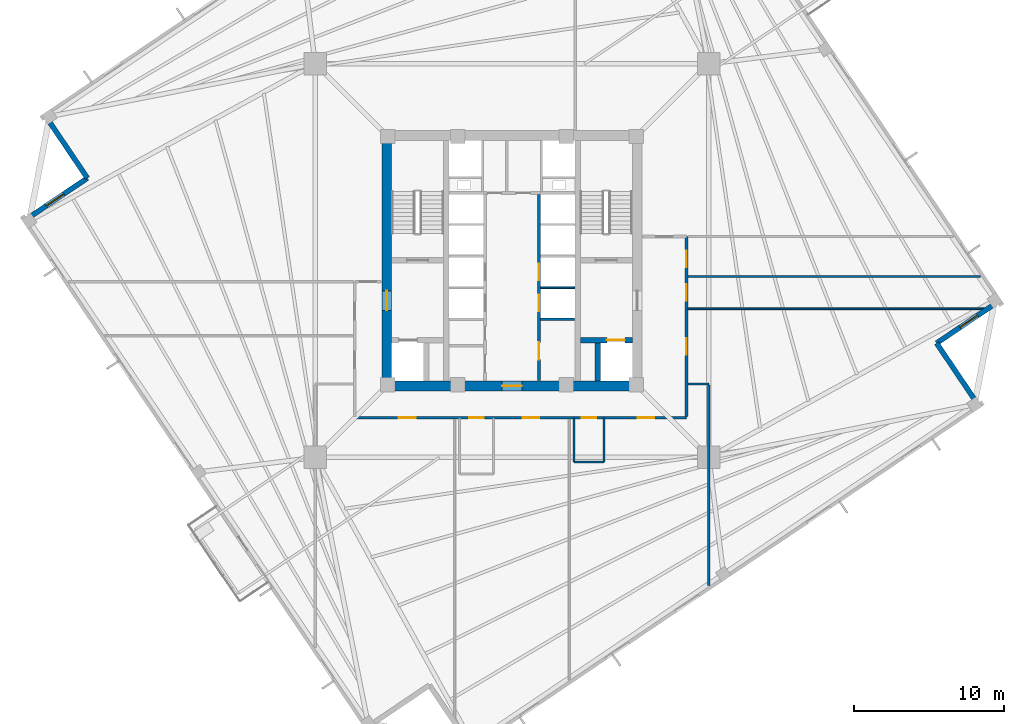
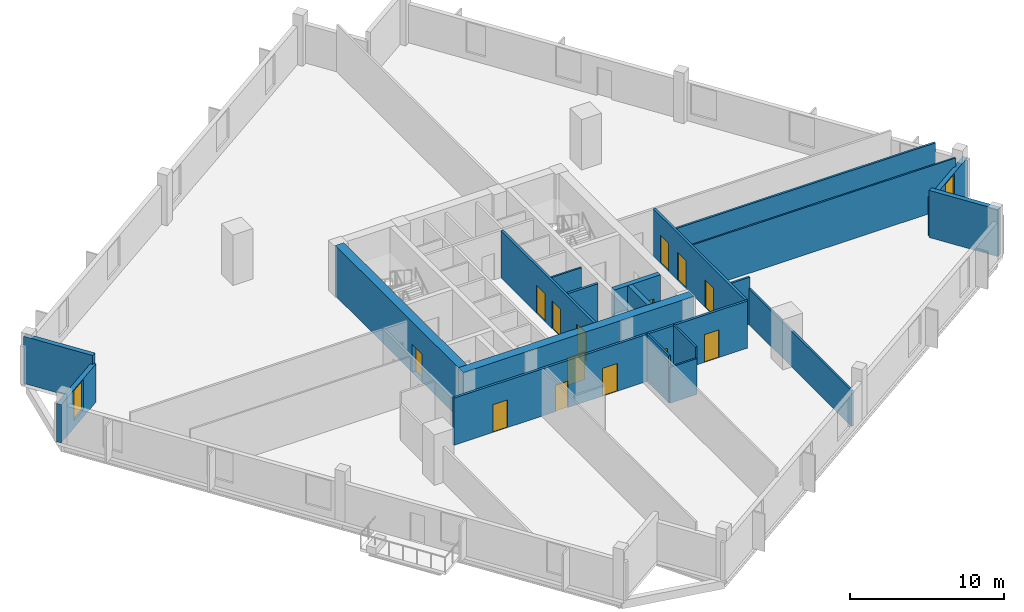
# One storey, part 4 of 9: 20 walls, 14 doors, 2 windows, 16 openings.
"""IFC4 building model written with IfcOpenShell, lengths in metres."""

from ifc_helpers import new_model, si_unit, direction, frame, frame_2d, origin, place, context, subcontext, project, spatial, rectangle, extrude, source, transform, mapped, material, layer, layer_set, type_object, element, fill, save


model = new_model("IFC4")

# Units and contexts
model_context = context("Model", 3, precision=1e-05, world=origin(), true_north=direction((0.0, 1.0)))
body_context = subcontext(model_context, "Body", "Model", "MODEL_VIEW")
ifc_project = project(units=[si_unit("LENGTHUNIT", "METRE"), si_unit("AREAUNIT", "SQUARE_METRE"), si_unit("VOLUMEUNIT", "CUBIC_METRE"), si_unit("PLANEANGLEUNIT", "RADIAN"), si_unit("MASSUNIT", "GRAM", prefix="KILO"), si_unit("THERMODYNAMICTEMPERATUREUNIT", "KELVIN")], contexts=[model_context])

# Site, building, storey
site_placement = place(None, origin())
site = spatial("IfcSite", under=ifc_project, at=site_placement, CompositionType="ELEMENT")
building_placement = place(site_placement, origin())
building = spatial("IfcBuilding", under=site, at=building_placement, Name="Kosmvard Interchange Tower", CompositionType="ELEMENT")
storey_placement = place(building_placement, frame((0.0, 0.0, 168.39990234375)))
storey = spatial("IfcBuildingStorey", under=building, at=storey_placement, Name="L40", CompositionType="ELEMENT", Elevation=168.39990234375)

# Walls
ifc_material_1 = material(Name="Acoustic gypsum partition system")
ifc_layer_1 = layer(ifc_material_1, 0.14990234375, Name="Acoustic gypsum partition system")
ifc_layer_set_1 = layer_set([ifc_layer_1], Name="Acoustic gypsum partition system")
wall_type_1 = type_object("IfcWallType", Name="Acoustic Suite & Meeting Partition 150", PredefinedType="PARTITIONING", material=ifc_layer_set_1)
wall_1_placement = place(storey_placement, frame((11.695068359375, -1.050048828125, 0.0), z_axis=(0.0, 0.0, 1.0), x_axis=(1.0, 0.0, 0.0)))
element("IfcWall", 1, at=wall_1_placement, inside=storey, type_object=wall_type_1, Name="L40 Room Partition 03.1", PredefinedType="PARTITIONING", context=body_context, shape_type="SweptSolid", body=[
    extrude(rectangle(XDim=19.43994140625, YDim=0.14990234375, at=frame_2d((9.719970703125, 0.0))), origin(), (0.0, 0.0, 1.0), 3.739990234375),
])
wall_2_placement = place(storey_placement, frame((11.695068359375, -8.199951171875, 0.0), z_axis=(0.0, 0.0, 1.0), x_axis=(1.0, 0.0, 0.0)))
element("IfcWall", 2, at=wall_2_placement, inside=storey, type_object=wall_type_1, Name="L40 Room Partition 10.1", PredefinedType="PARTITIONING", context=body_context, shape_type="SweptSolid", body=[
    extrude(rectangle(XDim=1.385986328125, YDim=0.14990234375, at=frame_2d((0.69287109375, 0.0))), origin(), (0.0, 0.0, 1.0), 3.739990234375),
])
wall_3_placement = place(storey_placement, frame((13.0810546875, -8.27490234375, 0.0), z_axis=(0.0, 0.0, 1.0), x_axis=(0.0, -1.0, 0.0)))
element("IfcWall", 3, at=wall_3_placement, inside=storey, type_object=wall_type_1, Name="L40 Room Partition 11.1", PredefinedType="PARTITIONING", context=body_context, shape_type="SweptSolid", body=[
    extrude(rectangle(XDim=13.32861328125, YDim=0.14990234375, at=frame_2d((6.664306640625, 0.0))), origin(), (0.0, 0.0, 1.0), 2.840087890625),
])

# Wall, openings, doors
ifc_material_2 = material(Name="Fire-rated gypsum partition system")
ifc_layer_2 = layer(ifc_material_2, 0.179931640625, Name="Fire-rated gypsum partition system")
ifc_layer_set_2 = layer_set([ifc_layer_2], Name="Fire-rated gypsum partition system")
wall_type_2 = type_object("IfcWallType", Name="Corridor & Hotel Compartment Partition 180", PredefinedType="PARTITIONING", material=ifc_layer_set_2)
wall_4_placement = place(storey_placement, frame((1.7900390625, -7.97998046875, 0.0), z_axis=(0.0, 0.0, 1.0), x_axis=(0.0, 1.0, 0.0)))
wall_4 = element("IfcWall", 4, at=wall_4_placement, inside=storey, type_object=wall_type_2, Name="L40 East Lift Bank Front Wall", PredefinedType="PARTITIONING", context=body_context, shape_type="SweptSolid", body=[
    extrude(rectangle(XDim=12.3798828125, YDim=0.179931640625, at=frame_2d((6.18994140625, 0.0))), origin(), (0.0, 0.0, 1.0), 3.739990234375),
])
opening_1_placement = place(wall_4_placement, frame((4.60009765625, 0.0, 0.0)))
opening_1 = element("IfcOpeningElement", 5, at=opening_1_placement, cuts=wall_4, Name="Opening LD-PL-M3-L40", PredefinedType="OPENING", context=body_context, shape_type="SweptSolid", body=[
    extrude(rectangle(XDim=1.10009765625, YDim=2.199951171875, at=frame_2d((0.550048828125, 1.10009765625))), frame((0.0, 0.10009765625, 0.0), z_axis=(0.0, -1.0, 0.0), x_axis=(1.0, 0.0, 0.0)), (0.0, 0.0, 1.0), 0.199951171875),
])
opening_2_placement = place(wall_4_placement, frame((6.659912109375, 0.0, 0.0)))
opening_2 = element("IfcOpeningElement", 6, at=opening_2_placement, cuts=wall_4, Name="Opening LD-PL-M4-L40", PredefinedType="OPENING", context=body_context, shape_type="SweptSolid", body=[
    extrude(rectangle(XDim=1.10009765625, YDim=2.199951171875, at=frame_2d((0.550048828125, 1.10009765625))), frame((0.0, 0.10009765625, 0.0), z_axis=(0.0, -1.0, 0.0), x_axis=(1.0, 0.0, 0.0)), (0.0, 0.0, 1.0), 0.199951171875),
])
opening_3_placement = place(wall_4_placement, frame((1.39990234375, 0.0, 0.0)))
opening_3 = element("IfcOpeningElement", 7, at=opening_3_placement, cuts=wall_4, Name="Opening L40-CD3", PredefinedType="OPENING", context=body_context, shape_type="SweptSolid", body=[
    extrude(rectangle(XDim=1.14990234375, YDim=2.25, at=frame_2d((0.574951171875, 1.125))), frame((0.0, 0.10009765625, 0.0), z_axis=(0.0, -1.0, 0.0), x_axis=(1.0, 0.0, 0.0)), (0.0, 0.0, 1.0), 0.199951171875),
])
ifc_material_3 = material(Name="Painted fire-rated steel leaf", Category="steel")
door_type_1 = type_object("IfcDoorType", Name="Plant & Riser Fire Door 1150x2250 EI60", OperationType="NOTDEFINED", PredefinedType="DOOR", material=ifc_material_3)
shared_shape_1 = source(origin(), body_context, "Body", "SweptSolid", [
    extrude(rectangle(XDim=1.14990234375, YDim=2.25, at=frame_2d((0.574951171875, 1.125))), frame((0.0, 0.02490234375, 0.0), z_axis=(0.0, -1.0, 0.0), x_axis=(1.0, 0.0, 0.0)), (0.0, 0.0, 1.0), 0.050048828125),
])
door_1_placement = place(opening_3_placement, frame((1.14990234375, 0.0, 0.0), z_axis=(0.0, 0.0, 1.0), x_axis=(-1.0, 0.0, 0.0)))
door_1 = element("IfcDoor", 8, at=door_1_placement, inside=storey, type_object=door_type_1, Name="L40 Core Telecoms Door", OperationType="SINGLE_SWING_RIGHT", OverallHeight=2.25, OverallWidth=1.14990234375, PredefinedType="DOOR", context=body_context, shape_type="MappedRepresentation", body=[
    mapped(shared_shape_1, transform((0.0, 0.0, 0.0), scale=1.0)),
])
fill(opening_3, door_1)
ifc_material_4 = material(Name="Brushed stainless steel sliding leaf", Category="steel")
door_type_2 = type_object("IfcDoorType", Name="Passenger Lift Sliding Landing Door 1100x2200 EI60", OperationType="DOUBLE_DOOR_SLIDING", PredefinedType="DOOR", material=ifc_material_4)
shared_shape_2 = source(origin(), body_context, "Body", "SweptSolid", [
    extrude(rectangle(XDim=1.10009765625, YDim=2.199951171875, at=frame_2d((0.550048828125, 1.10009765625))), frame((0.0, 0.02490234375, 0.0), z_axis=(0.0, -1.0, 0.0), x_axis=(1.0, 0.0, 0.0)), (0.0, 0.0, 1.0), 0.050048828125),
])
door_2_placement = place(opening_1_placement, origin())
door_2 = element("IfcDoor", 9, at=door_2_placement, inside=storey, type_object=door_type_2, Name="Lift PL-M3 Landing Door L40", OperationType="DOUBLE_DOOR_SLIDING", OverallHeight=2.199951171875, OverallWidth=1.10009765625, PredefinedType="DOOR", context=body_context, shape_type="MappedRepresentation", body=[
    mapped(shared_shape_2, transform((0.0, 0.0, 0.0), scale=1.0)),
])
fill(opening_1, door_2)
door_3_placement = place(opening_2_placement, origin())
door_3 = element("IfcDoor", 10, at=door_3_placement, inside=storey, type_object=door_type_2, Name="Lift PL-M4 Landing Door L40", OperationType="DOUBLE_DOOR_SLIDING", OverallHeight=2.199951171875, OverallWidth=1.10009765625, PredefinedType="DOOR", context=body_context, shape_type="MappedRepresentation", body=[
    mapped(shared_shape_2, transform((0.0, 0.0, 0.0), scale=1.0)),
])
fill(opening_2, door_3)

wall_5_placement = place(storey_placement, frame((-10.449951171875, -10.449951171875, 0.0), z_axis=(0.0, 0.0, 1.0), x_axis=(1.0, 0.0, 0.0)))
wall_5 = element("IfcWall", 11, at=wall_5_placement, inside=storey, type_object=wall_type_2, Name="L40 Corridor Wall CS", PredefinedType="PARTITIONING", context=body_context, shape_type="SweptSolid", body=[
    extrude(rectangle(XDim=22.050048828125, YDim=0.179931640625, at=frame_2d((11.02490234375, 0.0))), origin(), (0.0, 0.0, 1.0), 3.739990234375),
])
opening_4_placement = place(wall_5_placement, frame((15.086181640625, 0.0, 0.0)))
opening_4 = element("IfcOpeningElement", 12, at=opening_4_placement, cuts=wall_5, Name="Opening L40-D01", PredefinedType="OPENING", context=body_context, shape_type="SweptSolid", body=[
    extrude(rectangle(XDim=0.949951171875, YDim=2.10009765625, at=frame_2d((0.47509765625, 1.050048828125))), frame((0.0, 0.10009765625, 0.0), z_axis=(0.0, -1.0, 0.0), x_axis=(1.0, 0.0, 0.0)), (0.0, 0.0, 1.0), 0.199951171875),
])
opening_5_placement = place(wall_5_placement, frame((7.611083984375, 0.0, 0.0)))
opening_5 = element("IfcOpeningElement", 13, at=opening_5_placement, cuts=wall_5, Name="Opening L40-D02", PredefinedType="OPENING", context=body_context, shape_type="SweptSolid", body=[
    extrude(rectangle(XDim=0.949951171875, YDim=2.10009765625, at=frame_2d((0.47509765625, 1.050048828125))), frame((0.0, 0.10009765625, 0.0), z_axis=(0.0, -1.0, 0.0), x_axis=(1.0, 0.0, 0.0)), (0.0, 0.0, 1.0), 0.199951171875),
])
opening_6_placement = place(wall_5_placement, frame((2.939453125, 0.0, 0.0)))
opening_6 = element("IfcOpeningElement", 14, at=opening_6_placement, cuts=wall_5, Name="Opening L40-D08", PredefinedType="OPENING", context=body_context, shape_type="SweptSolid", body=[
    extrude(rectangle(XDim=1.10009765625, YDim=2.199951171875, at=frame_2d((0.550048828125, 1.10009765625))), frame((0.0, 0.10009765625, 0.0), z_axis=(0.0, -1.0, 0.0), x_axis=(1.0, 0.0, 0.0)), (0.0, 0.0, 1.0), 0.199951171875),
])
opening_7_placement = place(wall_5_placement, frame((11.174560546875, 0.0, 0.0)))
opening_7 = element("IfcOpeningElement", 15, at=opening_7_placement, cuts=wall_5, Name="Opening L40-D09", PredefinedType="OPENING", context=body_context, shape_type="SweptSolid", body=[
    extrude(rectangle(XDim=1.10009765625, YDim=2.199951171875, at=frame_2d((0.550048828125, 1.10009765625))), frame((0.0, 0.10009765625, 0.0), z_axis=(0.0, -1.0, 0.0), x_axis=(1.0, 0.0, 0.0)), (0.0, 0.0, 1.0), 0.199951171875),
])
opening_8_placement = place(wall_5_placement, frame((18.80517578125, 0.0, 0.0)))
opening_8 = element("IfcOpeningElement", 16, at=opening_8_placement, cuts=wall_5, Name="Opening L40-D10", PredefinedType="OPENING", context=body_context, shape_type="SweptSolid", body=[
    extrude(rectangle(XDim=1.10009765625, YDim=2.199951171875, at=frame_2d((0.550048828125, 1.10009765625))), frame((0.0, 0.10009765625, 0.0), z_axis=(0.0, -1.0, 0.0), x_axis=(1.0, 0.0, 0.0)), (0.0, 0.0, 1.0), 0.199951171875),
])
ifc_material_5 = material(Name="Laminated moisture-resistant timber", Category="wood")
door_type_3 = type_object("IfcDoorType", Name="Accessible Washroom Door 950x2100", OperationType="NOTDEFINED", PredefinedType="DOOR", material=ifc_material_5)
shared_shape_3 = source(origin(), body_context, "Body", "SweptSolid", [
    extrude(rectangle(XDim=0.949951171875, YDim=2.10009765625, at=frame_2d((0.47509765625, 1.050048828125))), frame((0.0, 0.02490234375, 0.0), z_axis=(0.0, -1.0, 0.0), x_axis=(1.0, 0.0, 0.0)), (0.0, 0.0, 1.0), 0.050048828125),
])
door_4_placement = place(opening_4_placement, frame((0.949951171875, 0.0, 0.0), z_axis=(0.0, 0.0, 1.0), x_axis=(-1.0, 0.0, 0.0)))
door_4 = element("IfcDoor", 17, at=door_4_placement, inside=storey, type_object=door_type_3, Name="L40 Accessible Toilet Door", OperationType="SINGLE_SWING_LEFT", OverallHeight=2.10009765625, OverallWidth=0.949951171875, PredefinedType="DOOR", context=body_context, shape_type="MappedRepresentation", body=[
    mapped(shared_shape_3, transform((0.0, 0.0, 0.0), scale=1.0)),
])
fill(opening_4, door_4)
door_5_placement = place(opening_5_placement, frame((0.949951171875, 0.0, 0.0), z_axis=(0.0, 0.0, 1.0), x_axis=(-1.0, 0.0, 0.0)))
door_5 = element("IfcDoor", 18, at=door_5_placement, inside=storey, type_object=door_type_3, Name="L40 Public Floor Washroom Door", OperationType="SINGLE_SWING_RIGHT", OverallHeight=2.10009765625, OverallWidth=0.949951171875, PredefinedType="DOOR", context=body_context, shape_type="MappedRepresentation", body=[
    mapped(shared_shape_3, transform((0.0, 0.0, 0.0), scale=1.0)),
])
fill(opening_5, door_5)
ifc_material_6 = material(Name="Engineered oak fire-rated timber", Category="wood")
door_type_4 = type_object("IfcDoorType", Name="Office Suite Entrance Door 1100x2200 FD30S", OperationType="NOTDEFINED", PredefinedType="DOOR", material=ifc_material_6)
door_6_placement = place(opening_6_placement, frame((1.10009765625, 0.0, 0.0), z_axis=(0.0, 0.0, 1.0), x_axis=(-1.0, 0.0, 0.0)))
door_6 = element("IfcDoor", 19, at=door_6_placement, inside=storey, type_object=door_type_4, Name="L40 Trader Quiet Lounge Door", OperationType="SINGLE_SWING_RIGHT", OverallHeight=2.199951171875, OverallWidth=1.10009765625, PredefinedType="DOOR", context=body_context, shape_type="MappedRepresentation", body=[
    mapped(shared_shape_2, transform((0.0, 0.0, 0.0), scale=1.0)),
])
fill(opening_6, door_6)
door_7_placement = place(opening_7_placement, frame((1.10009765625, 0.0, 0.0), z_axis=(0.0, 0.0, 1.0), x_axis=(-1.0, 0.0, 0.0)))
door_7 = element("IfcDoor", 20, at=door_7_placement, inside=storey, type_object=door_type_4, Name="L40 Exchange Visitor Reception Door", OperationType="SINGLE_SWING_LEFT", OverallHeight=2.199951171875, OverallWidth=1.10009765625, PredefinedType="DOOR", context=body_context, shape_type="MappedRepresentation", body=[
    mapped(shared_shape_2, transform((0.0, 0.0, 0.0), scale=1.0)),
])
fill(opening_7, door_7)
door_8_placement = place(opening_8_placement, frame((1.10009765625, 0.0, 0.0), z_axis=(0.0, 0.0, 1.0), x_axis=(-1.0, 0.0, 0.0)))
door_8 = element("IfcDoor", 21, at=door_8_placement, inside=storey, type_object=door_type_4, Name="L40 Executive Study Room Door", OperationType="SINGLE_SWING_RIGHT", OverallHeight=2.199951171875, OverallWidth=1.10009765625, PredefinedType="DOOR", context=body_context, shape_type="MappedRepresentation", body=[
    mapped(shared_shape_2, transform((0.0, 0.0, 0.0), scale=1.0)),
])
fill(opening_8, door_8)

wall_6_placement = place(storey_placement, frame((11.60009765625, -10.35009765625, 0.0), z_axis=(0.0, 0.0, 1.0), x_axis=(0.0, 1.0, 0.0)))
wall_6 = element("IfcWall", 22, at=wall_6_placement, inside=storey, type_object=wall_type_2, Name="L40 Corridor Wall CE", PredefinedType="PARTITIONING", context=body_context, shape_type="SweptSolid", body=[
    extrude(rectangle(XDim=11.9501953125, YDim=0.179931640625, at=frame_2d((5.97509765625, 0.0))), origin(), (0.0, 0.0, 1.0), 3.739990234375),
])
opening_9_placement = place(wall_6_placement, frame((9.91064453125, 0.0, 0.0)))
opening_9 = element("IfcOpeningElement", 23, at=opening_9_placement, cuts=wall_6, Name="Opening L40-D05", PredefinedType="OPENING", context=body_context, shape_type="SweptSolid", body=[
    extrude(rectangle(XDim=1.10009765625, YDim=2.199951171875, at=frame_2d((0.550048828125, 1.10009765625))), frame((0.0, 0.10009765625, 0.0), z_axis=(0.0, -1.0, 0.0), x_axis=(1.0, 0.0, 0.0)), (0.0, 0.0, 1.0), 0.199951171875),
])
opening_10_placement = place(wall_6_placement, frame((4.10009765625, 0.0, 0.0)))
opening_10 = element("IfcOpeningElement", 24, at=opening_10_placement, cuts=wall_6, Name="Opening L40-D11", PredefinedType="OPENING", context=body_context, shape_type="SweptSolid", body=[
    extrude(rectangle(XDim=1.10009765625, YDim=2.199951171875, at=frame_2d((0.550048828125, 1.10009765625))), frame((0.0, 0.10009765625, 0.0), z_axis=(0.0, -1.0, 0.0), x_axis=(1.0, 0.0, 0.0)), (0.0, 0.0, 1.0), 0.199951171875),
])
opening_11_placement = place(wall_6_placement, frame((7.675048828125, 0.0, 0.0)))
opening_11 = element("IfcOpeningElement", 25, at=opening_11_placement, cuts=wall_6, Name="Opening L40-D12", PredefinedType="OPENING", context=body_context, shape_type="SweptSolid", body=[
    extrude(rectangle(XDim=1.10009765625, YDim=2.199951171875, at=frame_2d((0.550048828125, 1.10009765625))), frame((0.0, 0.10009765625, 0.0), z_axis=(0.0, -1.0, 0.0), x_axis=(1.0, 0.0, 0.0)), (0.0, 0.0, 1.0), 0.199951171875),
])
door_9_placement = place(opening_9_placement, frame((1.10009765625, 0.0, 0.0), z_axis=(0.0, 0.0, 1.0), x_axis=(-1.0, 0.0, 0.0)))
door_9 = element("IfcDoor", 26, at=door_9_placement, inside=storey, type_object=door_type_4, Name="L40 East Market Briefing Hall Door", OperationType="SINGLE_SWING_LEFT", OverallHeight=2.199951171875, OverallWidth=1.10009765625, PredefinedType="DOOR", context=body_context, shape_type="MappedRepresentation", body=[
    mapped(shared_shape_2, transform((0.0, 0.0, 0.0), scale=1.0)),
])
fill(opening_9, door_9)
door_10_placement = place(opening_10_placement, frame((1.10009765625, 0.0, 0.0), z_axis=(0.0, 0.0, 1.0), x_axis=(-1.0, 0.0, 0.0)))
door_10 = element("IfcDoor", 27, at=door_10_placement, inside=storey, type_object=door_type_4, Name="L40 Communal Catering Pantry Door", OperationType="SINGLE_SWING_LEFT", OverallHeight=2.199951171875, OverallWidth=1.10009765625, PredefinedType="DOOR", context=body_context, shape_type="MappedRepresentation", body=[
    mapped(shared_shape_2, transform((0.0, 0.0, 0.0), scale=1.0)),
])
fill(opening_10, door_10)
door_11_placement = place(opening_11_placement, frame((1.10009765625, 0.0, 0.0), z_axis=(0.0, 0.0, 1.0), x_axis=(-1.0, 0.0, 0.0)))
door_11 = element("IfcDoor", 28, at=door_11_placement, inside=storey, type_object=door_type_4, Name="L40 Deal Conference Room 2 Door", OperationType="SINGLE_SWING_RIGHT", OverallHeight=2.199951171875, OverallWidth=1.10009765625, PredefinedType="DOOR", context=body_context, shape_type="MappedRepresentation", body=[
    mapped(shared_shape_2, transform((0.0, 0.0, 0.0), scale=1.0)),
])
fill(opening_11, door_11)

# Wall, opening, door
ifc_material_7 = material(Name="Concrete C70/85", Category="concrete")
ifc_layer_3 = layer(ifc_material_7, 0.64990234375, Name="Concrete C70/85")
ifc_layer_set_3 = layer_set([ifc_layer_3], Name="Concrete C70/85")
wall_type_3 = type_object("IfcWallType", Name="Mid Core Shear Wall 650 C70/85", PredefinedType="SHEAR", material=ifc_layer_set_3)
wall_7_placement = place(storey_placement, frame((-8.64990234375, -8.324951171875, 0.0), z_axis=(0.0, 0.0, 1.0), x_axis=(1.0, 0.0, 0.0)))
wall_7 = element("IfcWall", 29, at=wall_7_placement, inside=storey, type_object=wall_type_3, Name="L40 Core Shear Wall CW-S", PredefinedType="SHEAR", context=body_context, shape_type="SweptSolid", body=[
    extrude(rectangle(XDim=17.2998046875, YDim=0.64990234375, at=frame_2d((8.64990234375, 0.0))), origin(), (0.0, 0.0, 1.0), 4.0),
])
opening_12_placement = place(wall_7_placement, frame((8.0, 0.0, 0.0)))
opening_12 = element("IfcOpeningElement", 30, at=opening_12_placement, cuts=wall_7, Name="Opening L40-LD0", PredefinedType="OPENING", context=body_context, shape_type="SweptSolid", body=[
    extrude(rectangle(XDim=1.300048828125, YDim=2.199951171875, at=frame_2d((0.64990234375, 1.10009765625))), frame((0.0, 0.3349609375, 0.0), z_axis=(0.0, -1.0, 0.0), x_axis=(1.0, 0.0, 0.0)), (0.0, 0.0, 1.0), 0.669921875),
])
door_type_5 = type_object("IfcDoorType", Name="Firefighting Lobby Door 1300x2200 EI60", OperationType="NOTDEFINED", PredefinedType="DOOR", material=ifc_material_3)
shared_shape_4 = source(origin(), body_context, "Body", "SweptSolid", [
    extrude(rectangle(XDim=1.300048828125, YDim=2.199951171875, at=frame_2d((0.64990234375, 1.10009765625))), frame((0.0, 0.02490234375, 0.0), z_axis=(0.0, -1.0, 0.0), x_axis=(1.0, 0.0, 0.0)), (0.0, 0.0, 1.0), 0.050048828125),
])
door_12_placement = place(opening_12_placement, frame((1.300048828125, 0.0, 0.0), z_axis=(0.0, 0.0, 1.0), x_axis=(-1.0, 0.0, 0.0)))
door_12 = element("IfcDoor", 31, at=door_12_placement, inside=storey, type_object=door_type_5, Name="L40 Passenger Lift Lobby South Door", OperationType="SINGLE_SWING_LEFT", OverallHeight=2.199951171875, OverallWidth=1.300048828125, PredefinedType="DOOR", context=body_context, shape_type="MappedRepresentation", body=[
    mapped(shared_shape_4, transform((0.0, 0.0, 0.0), scale=1.0)),
])
fill(opening_12, door_12)

wall_8_placement = place(storey_placement, frame((-8.324951171875, -8.0, 0.0), z_axis=(0.0, 0.0, 1.0), x_axis=(0.0, 1.0, 0.0)))
wall_8 = element("IfcWall", 32, at=wall_8_placement, inside=storey, type_object=wall_type_3, Name="L40 Core Shear Wall CW-W", PredefinedType="SHEAR", context=body_context, shape_type="SweptSolid", body=[
    extrude(rectangle(XDim=16.0, YDim=0.64990234375, at=frame_2d((8.0, 0.0))), origin(), (0.0, 0.0, 1.0), 4.0),
])
opening_13_placement = place(wall_8_placement, frame((4.68994140625, 0.0, 0.0)))
opening_13 = element("IfcOpeningElement", 33, at=opening_13_placement, cuts=wall_8, Name="Opening L40-FD1", PredefinedType="OPENING", context=body_context, shape_type="SweptSolid", body=[
    extrude(rectangle(XDim=1.300048828125, YDim=2.199951171875, at=frame_2d((0.64990234375, 1.10009765625))), frame((0.0, 0.3349609375, 0.0), z_axis=(0.0, -1.0, 0.0), x_axis=(1.0, 0.0, 0.0)), (0.0, 0.0, 1.0), 0.669921875),
])
door_13_placement = place(opening_13_placement, frame((1.300048828125, 0.0, 0.0), z_axis=(0.0, 0.0, 1.0), x_axis=(-1.0, 0.0, 0.0)))
door_13 = element("IfcDoor", 34, at=door_13_placement, inside=storey, type_object=door_type_5, Name="L40 Firefighting Lobby West Door", OperationType="SINGLE_SWING_LEFT", OverallHeight=2.199951171875, OverallWidth=1.300048828125, PredefinedType="DOOR", context=body_context, shape_type="MappedRepresentation", body=[
    mapped(shared_shape_4, transform((0.0, 0.0, 0.0), scale=1.0)),
])
fill(opening_13, door_13)

# Wall
ifc_material_8 = material(Name="Precast concrete C45/55", Category="concrete")
ifc_layer_4 = layer(ifc_material_8, 0.340087890625, Name="Precast concrete C45/55")
ifc_layer_set_4 = layer_set([ifc_layer_4], Name="Precast concrete C45/55")
wall_type_4 = type_object("IfcWallType", Name="Mid Tower Precast Pier Wall 340 C45/55", PredefinedType="STANDARD", material=ifc_layer_set_4)
wall_9_placement = place(storey_placement, frame((31.018798828125, -9.631103515625, 0.0), z_axis=(0.0, 0.0, 1.0), x_axis=(-0.559210350234, 0.829025804298, 0.0)))
element("IfcWall", 35, at=wall_9_placement, inside=storey, type_object=wall_type_4, Name="L40 Precast Facade Wall N-SE1", PredefinedType="STANDARD", context=body_context, shape_type="SweptSolid", body=[
    extrude(rectangle(XDim=5.000244140625, YDim=0.340087890625, at=frame_2d((2.5, 0.0))), origin(), (0.0, 0.0, 1.0), 3.739990234375),
])

# Wall, opening, window
wall_10_placement = place(storey_placement, frame((28.22265625, -5.48583984375, 0.0), z_axis=(0.0, 0.0, 1.0), x_axis=(0.82905227345, 0.559171107879, 0.0)))
wall_10 = element("IfcWall", 36, at=wall_10_placement, inside=storey, type_object=wall_type_4, Name="L40 Precast Facade Wall N-SE2", PredefinedType="STANDARD", context=body_context, shape_type="SweptSolid", body=[
    extrude(rectangle(XDim=5.169921875, YDim=0.340087890625, at=frame_2d((2.5849609375, 0.0))), origin(), (0.0, 0.0, 1.0), 3.0400390625),
])
opening_14_placement = place(wall_10_placement, frame((1.885009765625, 0.0, 0.56005859375)))
opening_14 = element("IfcOpeningElement", 37, at=opening_14_placement, cuts=wall_10, Name="Opening L40-W21", PredefinedType="OPENING", context=body_context, shape_type="SweptSolid", body=[
    extrude(rectangle(XDim=1.39990234375, YDim=2.39990234375, at=frame_2d((0.699951171875, 1.199951171875))), frame((0.0, 0.18017578125, 0.0), z_axis=(0.0, -1.0, 0.0), x_axis=(1.0, 0.0, 0.0)), (0.0, 0.0, 1.0), 0.360107421875),
])
ifc_material_9 = material(Name="Low-E solar-control double glazing", Category="glass")
window_type = type_object("IfcWindowType", Name="Notched Corner Feature Window 1400x2400", PartitioningType="SINGLE_PANEL", PredefinedType="WINDOW", material=ifc_material_9)
shared_shape_5 = source(origin(), body_context, "Body", "SweptSolid", [
    extrude(rectangle(XDim=1.39990234375, YDim=2.39990234375, at=frame_2d((0.699951171875, 1.199951171875))), frame((0.0, 0.030029296875, 0.0), z_axis=(0.0, -1.0, 0.0), x_axis=(1.0, 0.0, 0.0)), (0.0, 0.0, 1.0), 0.06005859375),
])
window_1_placement = place(opening_14_placement, origin())
window_1 = element("IfcWindow", 38, at=window_1_placement, inside=storey, type_object=window_type, Name="L40 Corner Notch Window 21", OverallHeight=2.39990234375, OverallWidth=1.39990234375, PartitioningType="SINGLE_PANEL", PredefinedType="WINDOW", context=body_context, shape_type="MappedRepresentation", body=[
    mapped(shared_shape_5, transform((0.0, 0.0, 0.0), scale=1.0)),
])
fill(opening_14, window_1)

# Wall
wall_11_placement = place(storey_placement, frame((-31.018798828125, 9.631103515625, 0.0), z_axis=(0.0, 0.0, 1.0), x_axis=(0.559210350234, -0.829025804298, 0.0)))
element("IfcWall", 39, at=wall_11_placement, inside=storey, type_object=wall_type_4, Name="L40 Precast Facade Wall N-NW1", PredefinedType="STANDARD", context=body_context, shape_type="SweptSolid", body=[
    extrude(rectangle(XDim=5.000244140625, YDim=0.340087890625, at=frame_2d((2.5, 0.0))), origin(), (0.0, 0.0, 1.0), 3.739990234375),
])

# Wall, opening, window
wall_12_placement = place(storey_placement, frame((-28.22265625, 5.48583984375, 0.0), z_axis=(0.0, 0.0, 1.0), x_axis=(-0.82905227345, -0.559171107879, 0.0)))
wall_12 = element("IfcWall", 40, at=wall_12_placement, inside=storey, type_object=wall_type_4, Name="L40 Precast Facade Wall N-NW2", PredefinedType="STANDARD", context=body_context, shape_type="SweptSolid", body=[
    extrude(rectangle(XDim=5.169921875, YDim=0.340087890625, at=frame_2d((2.5849609375, 0.0))), origin(), (0.0, 0.0, 1.0), 3.0400390625),
])
opening_15_placement = place(wall_12_placement, frame((1.885009765625, 0.0, 0.56005859375)))
opening_15 = element("IfcOpeningElement", 41, at=opening_15_placement, cuts=wall_12, Name="Opening L40-W22", PredefinedType="OPENING", context=body_context, shape_type="SweptSolid", body=[
    extrude(rectangle(XDim=1.39990234375, YDim=2.39990234375, at=frame_2d((0.699951171875, 1.199951171875))), frame((0.0, 0.18017578125, 0.0), z_axis=(0.0, -1.0, 0.0), x_axis=(1.0, 0.0, 0.0)), (0.0, 0.0, 1.0), 0.360107421875),
])
window_2_placement = place(opening_15_placement, origin())
window_2 = element("IfcWindow", 42, at=window_2_placement, inside=storey, type_object=window_type, Name="L40 Corner Notch Window 22", OverallHeight=2.39990234375, OverallWidth=1.39990234375, PartitioningType="SINGLE_PANEL", PredefinedType="WINDOW", context=body_context, shape_type="MappedRepresentation", body=[
    mapped(shared_shape_5, transform((0.0, 0.0, 0.0), scale=1.0)),
])
fill(opening_15, window_2)

# Walls
ifc_material_10 = material(Name="Gypsum board partition system")
ifc_layer_5 = layer(ifc_material_10, 0.1201171875, Name="Gypsum board partition system")
ifc_layer_set_5 = layer_set([ifc_layer_5], Name="Gypsum board partition system")
wall_type_5 = type_object("IfcWallType", Name="Office Cellular Partition 120", PredefinedType="PARTITIONING", material=ifc_layer_set_5)
wall_13_placement = place(storey_placement, frame((11.695068359375, -3.199951171875, 0.0), z_axis=(0.0, 0.0, 1.0), x_axis=(1.0, 0.0, 0.0)))
element("IfcWall", 43, at=wall_13_placement, inside=storey, type_object=wall_type_5, Name="L40 Room Partition 12.1", PredefinedType="PARTITIONING", context=body_context, shape_type="SweptSolid", body=[
    extrude(rectangle(XDim=19.72900390625, YDim=0.1201171875, at=frame_2d((9.864501953125, 0.0))), origin(), (0.0, 0.0, 1.0), 3.739990234375),
])
ifc_material_11 = material(Name="Concrete blockwork masonry", Category="masonry")
ifc_layer_6 = layer(ifc_material_11, 0.179931640625, Name="Concrete blockwork masonry")
ifc_layer_set_6 = layer_set([ifc_layer_6], Name="Concrete blockwork masonry")
wall_type_6 = type_object("IfcWallType", Name="Riser & Lift Bank Divider Wall 180", PredefinedType="PARTITIONING", material=ifc_layer_set_6)
wall_14_placement = place(storey_placement, frame((1.889892578125, -3.89990234375, 0.0), z_axis=(0.0, 0.0, 1.0), x_axis=(1.0, 0.0, 0.0)))
element("IfcWall", 44, at=wall_14_placement, inside=storey, type_object=wall_type_6, Name="L40 East Bank Divider BD1", PredefinedType="PARTITIONING", context=body_context, shape_type="SweptSolid", body=[
    extrude(rectangle(XDim=2.280029296875, YDim=0.179931640625, at=frame_2d((1.14013671875, 0.0))), origin(), (0.0, 0.0, 1.0), 3.739990234375),
])
ifc_material_12 = material(Name="Fire-rated gypsum shaftwall system")
ifc_layer_7 = layer(ifc_material_12, 0.1201171875, Name="Fire-rated gypsum shaftwall system")
ifc_layer_set_7 = layer_set([ifc_layer_7], Name="Fire-rated gypsum shaftwall system")
wall_type_7 = type_object("IfcWallType", Name="Shaft & Riser Fire Partition 120 EI60", PredefinedType="PARTITIONING", material=ifc_layer_set_7)
wall_15_placement = place(storey_placement, frame((1.89990234375, -1.800048828125, 0.0), z_axis=(0.0, 0.0, 1.0), x_axis=(1.0, 0.0, 0.0)))
element("IfcWall", 45, at=wall_15_placement, inside=storey, type_object=wall_type_7, Name="L40 Shaft Divider PL-M3", PredefinedType="PARTITIONING", context=body_context, shape_type="SweptSolid", body=[
    extrude(rectangle(XDim=2.260009765625, YDim=0.1201171875, at=frame_2d((1.1298828125, 0.0))), origin(), (0.0, 0.0, 1.0), 3.739990234375),
])

# Wall, opening, door
ifc_material_13 = material(Name="Concrete C60/75", Category="concrete")
ifc_layer_8 = layer(ifc_material_13, 0.360107421875, Name="Concrete C60/75")
ifc_layer_set_8 = layer_set([ifc_layer_8], Name="Concrete C60/75")
wall_type_8 = type_object("IfcWallType", Name="Stair & Lift Shaft Shear Wall 360 C60/75", PredefinedType="SHEAR", material=ifc_layer_set_8)
wall_16_placement = place(storey_placement, frame((4.5400390625, -5.280029296875, 0.0), z_axis=(0.0, 0.0, 1.0), x_axis=(1.0, 0.0, 0.0)))
wall_16 = element("IfcWall", 46, at=wall_16_placement, inside=storey, type_object=wall_type_8, Name="L40 Shaft Shear Wall SW-FF2", PredefinedType="SHEAR", context=body_context, shape_type="SweptSolid", body=[
    extrude(rectangle(XDim=3.4599609375, YDim=0.360107421875, at=frame_2d((1.72998046875, 0.0))), origin(), (0.0, 0.0, 1.0), 4.0),
])
opening_16_placement = place(wall_16_placement, frame((1.760009765625, 0.0, 0.0)))
opening_16 = element("IfcOpeningElement", 47, at=opening_16_placement, cuts=wall_16, Name="Opening LD-FF-2-L40", PredefinedType="OPENING", context=body_context, shape_type="SweptSolid", body=[
    extrude(rectangle(XDim=1.199951171875, YDim=2.25, at=frame_2d((0.60009765625, 1.125))), frame((0.0, 0.18994140625, 0.0), z_axis=(0.0, -1.0, 0.0), x_axis=(1.0, 0.0, 0.0)), (0.0, 0.0, 1.0), 0.380126953125),
])
door_type_6 = type_object("IfcDoorType", Name="Firefighting Lift Sliding Landing Door 1200x2250 EI120", OperationType="DOUBLE_DOOR_SLIDING", PredefinedType="DOOR", material=ifc_material_4)
shared_shape_6 = source(origin(), body_context, "Body", "SweptSolid", [
    extrude(rectangle(XDim=1.199951171875, YDim=2.25, at=frame_2d((0.60009765625, 1.125))), frame((0.0, 0.02490234375, 0.0), z_axis=(0.0, -1.0, 0.0), x_axis=(1.0, 0.0, 0.0)), (0.0, 0.0, 1.0), 0.050048828125),
])
door_14_placement = place(opening_16_placement, origin())
door_14 = element("IfcDoor", 48, at=door_14_placement, inside=storey, type_object=door_type_6, Name="Lift FF-2 Landing Door L40", OperationType="DOUBLE_DOOR_SLIDING", OverallHeight=2.25, OverallWidth=1.199951171875, PredefinedType="DOOR", context=body_context, shape_type="MappedRepresentation", body=[
    mapped(shared_shape_6, transform((0.0, 0.0, 0.0), scale=1.0)),
])
fill(opening_16, door_14)

# Walls
wall_17_placement = place(storey_placement, frame((5.7099609375, -8.0, 0.0), z_axis=(0.0, 0.0, 1.0), x_axis=(0.0, 1.0, 0.0)))
element("IfcWall", 49, at=wall_17_placement, inside=storey, type_object=wall_type_8, Name="L40 Shaft Shear Wall SW-SM2", PredefinedType="SHEAR", context=body_context, shape_type="SweptSolid", body=[
    extrude(rectangle(XDim=2.5400390625, YDim=0.360107421875, at=frame_2d((1.27001953125, 0.0))), origin(), (0.0, 0.0, 1.0), 4.0),
])
ifc_material_14 = material(Name="Moisture-resistant gypsum partition")
ifc_layer_9 = layer(ifc_material_14, 0.135009765625, Name="Moisture-resistant gypsum partition")
ifc_layer_set_9 = layer_set([ifc_layer_9], Name="Moisture-resistant gypsum partition")
wall_type_9 = type_object("IfcWallType", Name="Wet Room Moisture-Resistant Partition 135", PredefinedType="PARTITIONING", material=ifc_layer_set_9)
wall_18_placement = place(storey_placement, frame((4.111083984375, -13.3701171875, 0.0), z_axis=(0.0, 0.0, 1.0), x_axis=(1.0, 0.0, 0.0)))
element("IfcWall", 50, at=wall_18_placement, inside=storey, type_object=wall_type_9, Name="L40 Washroom Partition AWC1-S", PredefinedType="PARTITIONING", context=body_context, shape_type="SweptSolid", body=[
    extrude(rectangle(XDim=2.0, YDim=0.135009765625, at=frame_2d((1.0, 0.0))), origin(), (0.0, 0.0, 1.0), 2.840087890625),
])
for number, where, z_axis, x_axis, name in (
    (51, (6.111083984375, -13.3701171875, 0.0), (0.0, 0.0, 1.0), (0.0, 1.0, 0.0), "L40 Washroom Partition AWC1-E"),
    (52, (4.111083984375, -13.3701171875, 0.0), (0.0, 0.0, 1.0), (0.0, 1.0, 0.0), "L40 Washroom Partition AWC1-W"),
):
    element("IfcWall", number, at=place(storey_placement, frame(where, z_axis=z_axis, x_axis=x_axis)), inside=storey, type_object=wall_type_9, Name=name, PredefinedType="PARTITIONING", context=body_context, shape_type="SweptSolid", body=[
        extrude(rectangle(XDim=2.900146484375, YDim=0.135009765625, at=frame_2d((1.4501953125, 0.0))), origin(), (0.0, 0.0, 1.0), 3.739990234375),
    ])

save(model, "model.ifc")
